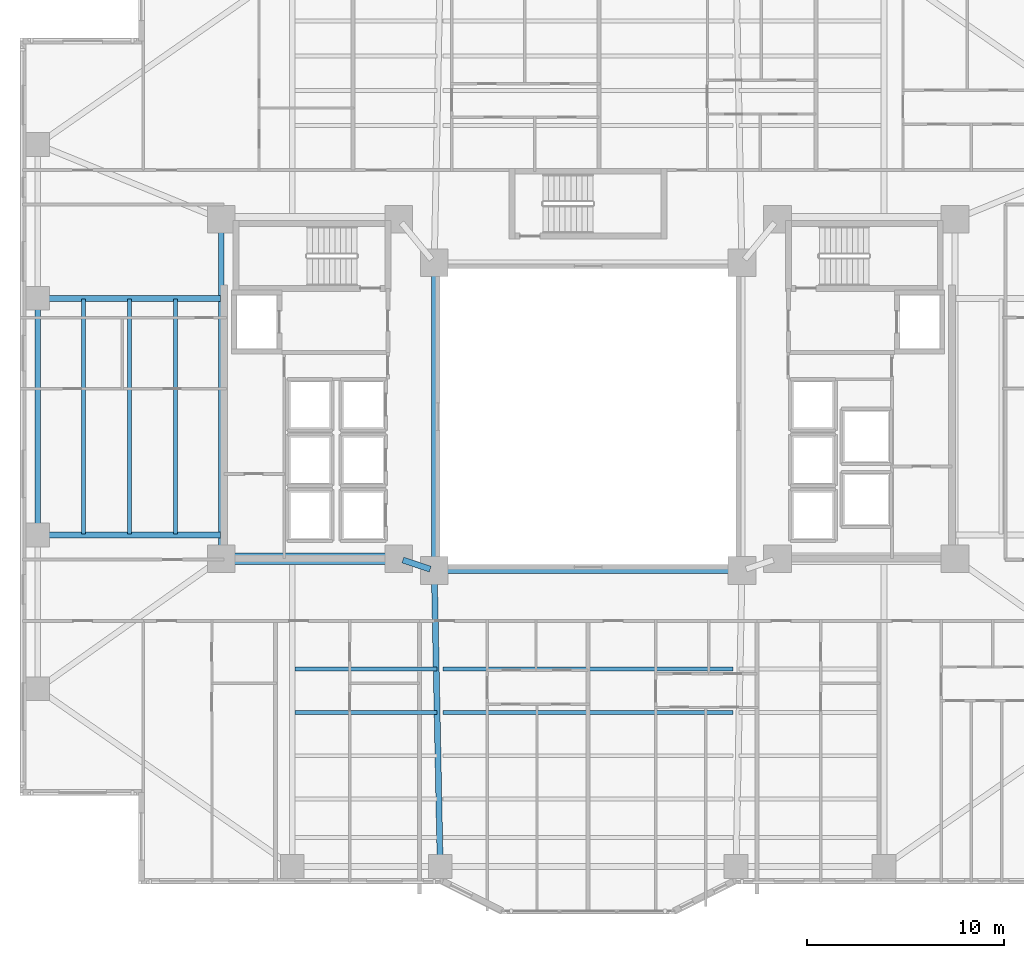
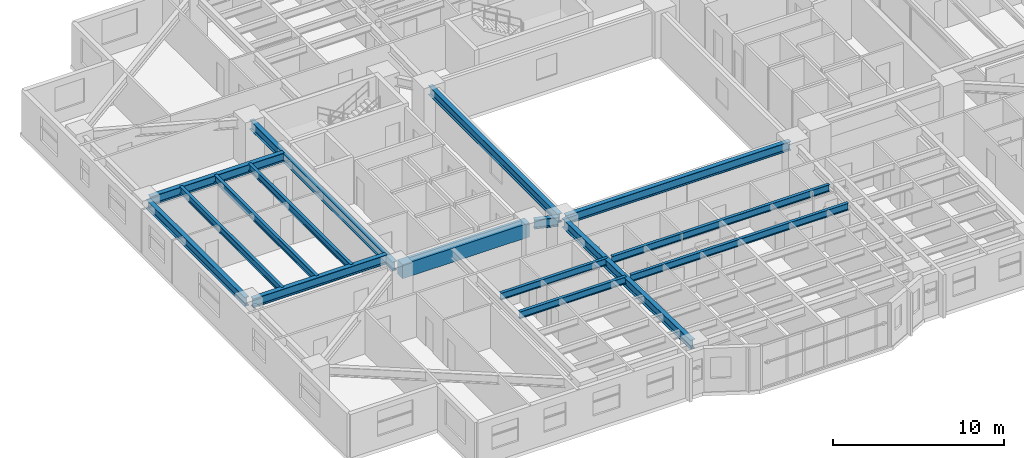
# One storey, part 3 of 22: 16 beams.
"""IFC4 building model written with IfcOpenShell, lengths in metres."""

from ifc_helpers import new_model, si_unit, direction, frame, origin, origin_2d, place, context, subcontext, project, spatial, rectangle, i_section, extrude, material, material_profile, profile_set, type_object, element, save


model = new_model("IFC4")

# Units and contexts
model_context = context("Model", 3, precision=1e-05, world=origin(), true_north=direction((0.0, 1.0)))
body_context = subcontext(model_context, "Body", "Model", "MODEL_VIEW")
ifc_project = project(units=[si_unit("LENGTHUNIT", "METRE"), si_unit("AREAUNIT", "SQUARE_METRE"), si_unit("VOLUMEUNIT", "CUBIC_METRE"), si_unit("PLANEANGLEUNIT", "RADIAN"), si_unit("MASSUNIT", "GRAM", prefix="KILO")], contexts=[model_context])

# Site, building, storey
site_placement = place(None, origin())
site = spatial("IfcSite", under=ifc_project, at=site_placement, CompositionType="ELEMENT")
building_placement = place(site_placement, origin())
building = spatial("IfcBuilding", under=site, at=building_placement, Name="Tarnavaz Court Tower", CompositionType="ELEMENT")
storey_placement = place(building_placement, frame((0.0, 0.0, 57.5)))
storey = spatial("IfcBuildingStorey", under=building, at=storey_placement, Name="L15", CompositionType="ELEMENT", Elevation=57.5)

# Beams
ifc_material_1 = material(Name="Concrete C60/75", Category="concrete")
ifc_material_profile_1 = material_profile(ifc_material_1, rectangle(XDim=0.60009765625, YDim=1.0, at=origin_2d()), Name="RC 600X1000")
ifc_profile_set_1 = profile_set([ifc_material_profile_1], Name="Concrete C60/75")
beam_type_1 = type_object("IfcBeamType", Name="BM-CB1000", PredefinedType="LINTEL", material=ifc_profile_set_1)
beam_1_placement = place(storey_placement, frame((-18.3798828125, -7.199951171875, 2.60009765625), z_axis=(1.0, 0.0, 0.0), x_axis=(0.0, 1.0, 0.0)))
element("IfcBeam", 1, at=beam_1_placement, inside=storey, type_object=beam_type_1, Name="L15 Beam IN-CW-SO-CW-SI", PredefinedType="LINTEL", context=body_context, shape_type="SweptSolid", body=[
    extrude(rectangle(XDim=0.60009765625, YDim=1.0, at=origin_2d()), origin(), (0.0, 0.0, 1.0), 8.559814453125),
])
ifc_material_2 = material(Name="Steel S355", Category="steel")
ifc_material_profile_2 = material_profile(ifc_material_2, i_section(OverallWidth=0.300048828125, OverallDepth=0.64990234375, WebThickness=0.01611328125, FlangeThickness=0.031005859375, FilletRadius=0.027099609375, at=origin_2d()), Name="HEB 650")
ifc_profile_set_2 = profile_set([ifc_material_profile_2], Name="Steel S355")
beam_type_2 = type_object("IfcBeamType", Name="BM-G-HEB650", PredefinedType="USERDEFINED", material=ifc_profile_set_2)
beam_2_placement = place(storey_placement, frame((-9.391357421875, -7.26953125, 2.77490234375), z_axis=(0.948666544706, -0.316278021615, 0.0), x_axis=(0.316278021615, 0.948666544706, 0.0)))
element("IfcBeam", 2, at=beam_2_placement, inside=storey, type_object=beam_type_2, Name="L15 Beam IN-CW-SI-IW-SW", ObjectType="GIRDER", PredefinedType="USERDEFINED", context=body_context, shape_type="SweptSolid", body=[
    extrude(i_section(OverallWidth=0.300048828125, OverallDepth=0.64990234375, WebThickness=0.01611328125, FlangeThickness=0.031005859375, FilletRadius=0.027099609375, at=origin_2d()), origin(), (0.0, 0.0, 1.0), 1.457275390625),
])
beam_3_placement = place(storey_placement, frame((-18.60009765625, -6.97998046875, 2.77490234375), z_axis=(0.0, 1.0, 0.0), x_axis=(-1.0, 0.0, 0.0)))
element("IfcBeam", 3, at=beam_3_placement, inside=storey, type_object=beam_type_2, Name="L15 Beam IN-CW-SO-CW-NO", ObjectType="GIRDER", PredefinedType="USERDEFINED", context=body_context, shape_type="SweptSolid", body=[
    extrude(i_section(OverallWidth=0.300048828125, OverallDepth=0.64990234375, WebThickness=0.01611328125, FlangeThickness=0.031005859375, FilletRadius=0.027099609375, at=origin_2d()), origin(), (0.0, 0.0, 1.0), 16.760009765625),
])
beam_4_placement = place(storey_placement, frame((-7.795654296875, -8.02001953125, 2.77490234375), z_axis=(0.020000023066, -0.999799979535, 0.0), x_axis=(0.999799979535, 0.020000023066, 0.0)))
element("IfcBeam", 4, at=beam_4_placement, inside=storey, type_object=beam_type_2, Name="L15 Beam RG-06", ObjectType="GIRDER", PredefinedType="USERDEFINED", context=body_context, shape_type="SweptSolid", body=[
    extrude(i_section(OverallWidth=0.300048828125, OverallDepth=0.64990234375, WebThickness=0.01611328125, FlangeThickness=0.031005859375, FilletRadius=0.027099609375, at=origin_2d()), origin(), (0.0, 0.0, 1.0), 14.56298828125),
])
for number, where, z_axis, x_axis, name in (
    (5, (-18.639892578125, -6.0, 2.77490234375), (-1.0, 0.0, 0.0), (0.0, -1.0, 0.0), "L15 Beam RG-13"),
    (6, (-18.639892578125, 6.0, 2.77490234375), (-1.0, 0.0, 0.0), (0.0, -1.0, 0.0), "L15 Beam RG-14"),
):
    element("IfcBeam", number, at=place(storey_placement, frame(where, z_axis=z_axis, x_axis=x_axis)), inside=storey, type_object=beam_type_2, Name=name, ObjectType="GIRDER", PredefinedType="USERDEFINED", context=body_context, shape_type="SweptSolid", body=[
        extrude(i_section(OverallWidth=0.300048828125, OverallDepth=0.64990234375, WebThickness=0.01611328125, FlangeThickness=0.031005859375, FilletRadius=0.027099609375, at=origin_2d()), origin(), (0.0, 0.0, 1.0), 9.0400390625),
    ])
ifc_material_profile_3 = material_profile(ifc_material_2, i_section(OverallWidth=0.199951171875, OverallDepth=0.5, WebThickness=0.01025390625, FlangeThickness=0.01611328125, FilletRadius=0.02099609375, at=origin_2d()), Name="IPE 500")
ifc_profile_set_3 = profile_set([ifc_material_profile_3], Name="Steel S355")
beam_type_3 = type_object("IfcBeamType", Name="BM-J-IPE500", PredefinedType="JOIST", material=ifc_profile_set_3)
beam_5_placement = place(storey_placement, frame((-14.85009765625, -12.7958984375, 2.85009765625), z_axis=(1.0, 0.0, 0.0), x_axis=(0.0, 1.0, 0.0)))
element("IfcBeam", 7, at=beam_5_placement, inside=storey, type_object=beam_type_3, Name="L15 Beam JS1-1", PredefinedType="JOIST", context=body_context, shape_type="SweptSolid", body=[
    extrude(i_section(OverallWidth=0.199951171875, OverallDepth=0.5, WebThickness=0.01025390625, FlangeThickness=0.01611328125, FilletRadius=0.02099609375, at=origin_2d()), origin(), (0.0, 0.0, 1.0), 7.2001953125),
])
beam_6_placement = place(storey_placement, frame((-7.35009765625, -12.7958984375, 2.85009765625), z_axis=(1.0, 0.0, 0.0), x_axis=(0.0, 1.0, 0.0)))
element("IfcBeam", 8, at=beam_6_placement, inside=storey, type_object=beam_type_3, Name="L15 Beam JS1-2", PredefinedType="JOIST", context=body_context, shape_type="SweptSolid", body=[
    extrude(i_section(OverallWidth=0.199951171875, OverallDepth=0.5, WebThickness=0.01025390625, FlangeThickness=0.01611328125, FilletRadius=0.02099609375, at=origin_2d()), origin(), (0.0, 0.0, 1.0), 14.7001953125),
])
beam_7_placement = place(storey_placement, frame((-14.85009765625, -14.991943359375, 2.85009765625), z_axis=(1.0, 0.0, 0.0), x_axis=(0.0, 1.0, 0.0)))
element("IfcBeam", 9, at=beam_7_placement, inside=storey, type_object=beam_type_3, Name="L15 Beam JS2-1", PredefinedType="JOIST", context=body_context, shape_type="SweptSolid", body=[
    extrude(i_section(OverallWidth=0.199951171875, OverallDepth=0.5, WebThickness=0.01025390625, FlangeThickness=0.01611328125, FilletRadius=0.02099609375, at=origin_2d()), origin(), (0.0, 0.0, 1.0), 7.2001953125),
])
beam_8_placement = place(storey_placement, frame((-7.35009765625, -14.991943359375, 2.85009765625), z_axis=(1.0, 0.0, 0.0), x_axis=(0.0, 1.0, 0.0)))
element("IfcBeam", 10, at=beam_8_placement, inside=storey, type_object=beam_type_3, Name="L15 Beam JS2-2", PredefinedType="JOIST", context=body_context, shape_type="SweptSolid", body=[
    extrude(i_section(OverallWidth=0.199951171875, OverallDepth=0.5, WebThickness=0.01025390625, FlangeThickness=0.01611328125, FilletRadius=0.02099609375, at=origin_2d()), origin(), (0.0, 0.0, 1.0), 14.7001953125),
])
for number, where, z_axis, x_axis, name in (
    (11, (-20.925048828125, -5.9599609375, 2.85009765625), (0.0, 1.0, 0.0), (-1.0, 0.0, 0.0), "L15 Beam JW1"),
    (12, (-23.25, -5.9599609375, 2.85009765625), (0.0, 1.0, 0.0), (-1.0, 0.0, 0.0), "L15 Beam JW2"),
    (13, (-25.574951171875, -5.9599609375, 2.85009765625), (0.0, 1.0, 0.0), (-1.0, 0.0, 0.0), "L15 Beam JW3"),
):
    element("IfcBeam", number, at=place(storey_placement, frame(where, z_axis=z_axis, x_axis=x_axis)), inside=storey, type_object=beam_type_3, Name=name, PredefinedType="JOIST", context=body_context, shape_type="SweptSolid", body=[
        extrude(i_section(OverallWidth=0.199951171875, OverallDepth=0.5, WebThickness=0.01025390625, FlangeThickness=0.01611328125, FilletRadius=0.02099609375, at=origin_2d()), origin(), (0.0, 0.0, 1.0), 11.919921875),
    ])
ifc_material_profile_4 = material_profile(ifc_material_2, i_section(OverallWidth=0.300048828125, OverallDepth=0.639892578125, WebThickness=0.013427734375, FlangeThickness=0.02587890625, FilletRadius=0.027099609375, at=origin_2d()), Name="HEA 650")
ifc_profile_set_4 = profile_set([ifc_material_profile_4], Name="Steel S355")
beam_type_4 = type_object("IfcBeamType", Name="BM-SP-HEA650", PredefinedType="SPANDREL", material=ifc_profile_set_4)
for number, where, z_axis, x_axis, name in (
    (14, (-7.580078125, -7.800048828125, 2.780029296875), (1.0, 0.0, 0.0), (0.0, 1.0, 0.0), "L15 Beam IN-IW-SW-IW-SE"),
    (15, (-7.800048828125, -7.580078125, 2.780029296875), (0.0, 1.0, 0.0), (-1.0, 0.0, 0.0), "L15 Beam IN-IW-SW-IW-NW"),
):
    element("IfcBeam", number, at=place(storey_placement, frame(where, z_axis=z_axis, x_axis=x_axis)), inside=storey, type_object=beam_type_4, Name=name, PredefinedType="SPANDREL", context=body_context, shape_type="SweptSolid", body=[
        extrude(i_section(OverallWidth=0.300048828125, OverallDepth=0.639892578125, WebThickness=0.013427734375, FlangeThickness=0.02587890625, FilletRadius=0.027099609375, at=origin_2d()), origin(), (0.0, 0.0, 1.0), 15.16015625),
    ])
beam_9_placement = place(storey_placement, frame((-27.89990234375, -5.780029296875, 2.780029296875), z_axis=(0.0, 1.0, 0.0), x_axis=(-1.0, 0.0, 0.0)))
element("IfcBeam", 16, at=beam_9_placement, inside=storey, type_object=beam_type_4, Name="L15 Beam PR-PW-2-PW-3", PredefinedType="SPANDREL", context=body_context, shape_type="SweptSolid", body=[
    extrude(i_section(OverallWidth=0.300048828125, OverallDepth=0.639892578125, WebThickness=0.013427734375, FlangeThickness=0.02587890625, FilletRadius=0.027099609375, at=origin_2d()), origin(), (0.0, 0.0, 1.0), 11.56005859375),
])

save(model, "model.ifc")
